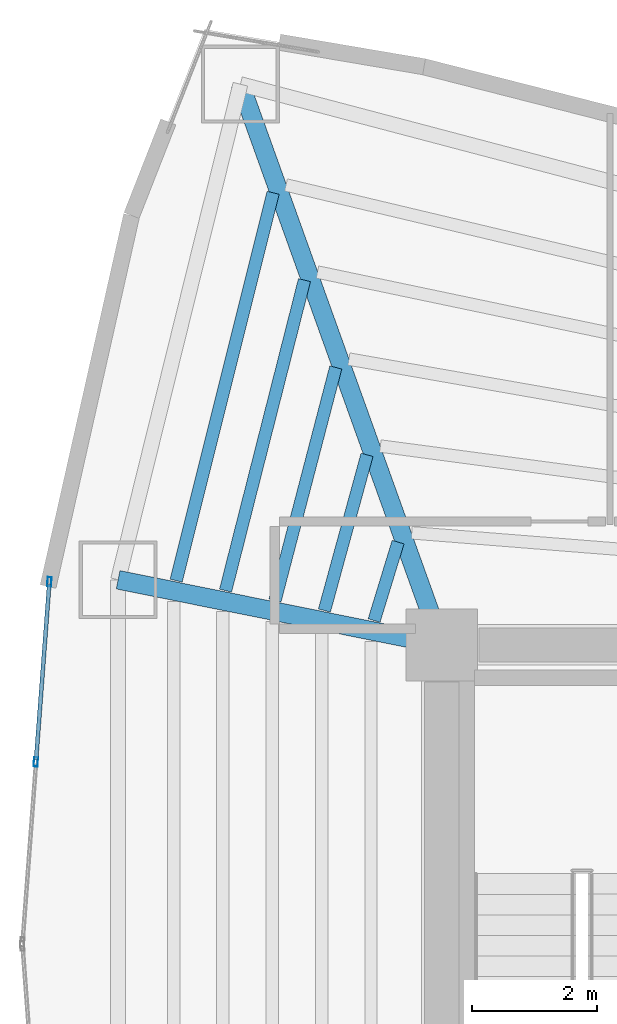
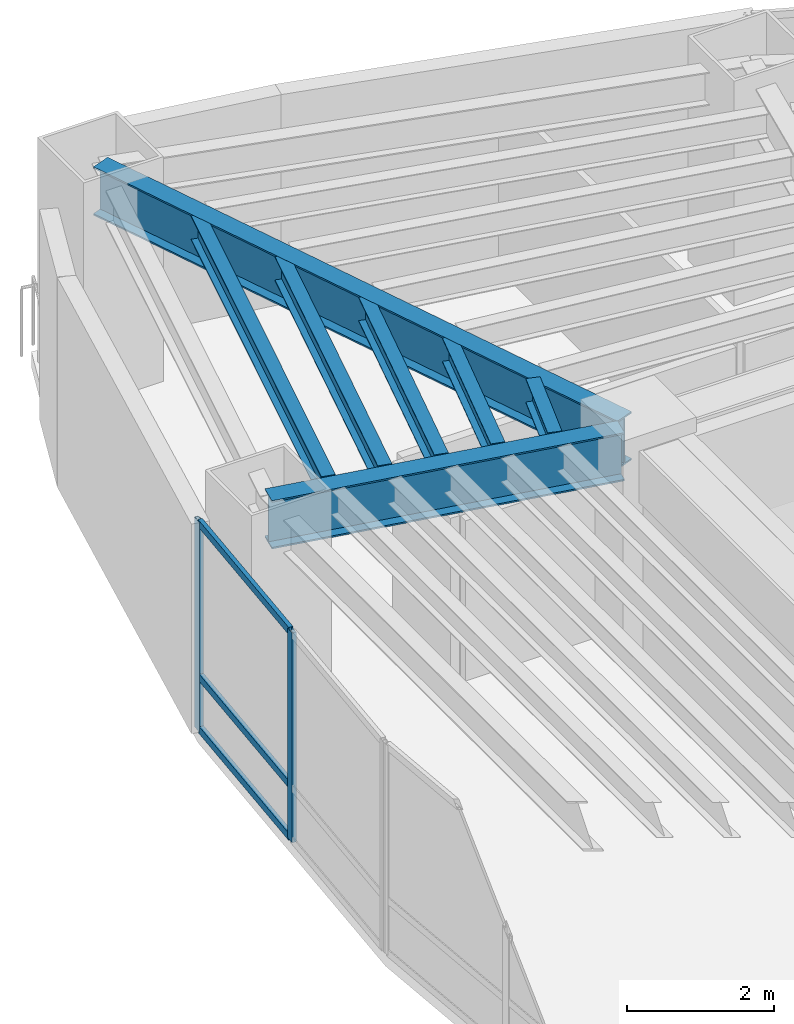
# One storey, part 7 of 18: 7 beams, 5 members, 1 element without a shape of its own.
"""IFC4 building model written with IfcOpenShell, lengths in metres."""

from ifc_helpers import new_model, si_unit, direction, frame, origin, origin_2d, place, context, subcontext, project, spatial, hollow_rectangle, i_section, extrude, material, layer, layer_set, material_profile, profile_set, type_object, element, aggregate, save


model = new_model("IFC4")

# Units and contexts
model_context = context("Model", 3, precision=1e-05, world=origin(), true_north=direction((0.0, 1.0)))
body_context = subcontext(model_context, "Body", "Model", "MODEL_VIEW")
ifc_project = project(units=[si_unit("LENGTHUNIT", "METRE"), si_unit("AREAUNIT", "SQUARE_METRE"), si_unit("VOLUMEUNIT", "CUBIC_METRE"), si_unit("PLANEANGLEUNIT", "RADIAN"), si_unit("MASSUNIT", "GRAM", prefix="KILO")], contexts=[model_context])

# Site, building, storey
site_placement = place(None, origin())
site = spatial("IfcSite", under=ifc_project, at=site_placement, CompositionType="ELEMENT")
building_placement = place(site_placement, origin())
building = spatial("IfcBuilding", under=site, at=building_placement, Name="Menara Vayukalpa", CompositionType="ELEMENT")
storey_placement = place(building_placement, frame((0.0, 0.0, 126.300048828125)))
storey = spatial("IfcBuildingStorey", under=building, at=storey_placement, Name="L31", CompositionType="ELEMENT", Elevation=126.300048828125)

# Beams
ifc_material_1 = material(Name="Steel S355", Category="steel")
ifc_material_profile_1 = material_profile(ifc_material_1, i_section(OverallWidth=0.300048828125, OverallDepth=0.800048828125, WebThickness=0.013916015625, FlangeThickness=0.02587890625, at=origin_2d()), Name="WF 800x300x14x26")
ifc_profile_set_1 = profile_set([ifc_material_profile_1], Name="Steel S355")
beam_type_1 = type_object("IfcBeamType", Name="BM-PG3", PredefinedType="BEAM", material=ifc_profile_set_1)
beam_1_placement = place(storey_placement, frame((17.715576171875, 27.035400390625, 3.070068359375), z_axis=(-0.337975542909, 0.941154892882, 0.0), x_axis=(-0.941154892882, -0.337975542909, 0.0)))
element("IfcBeam", 1, at=beam_1_placement, inside=storey, type_object=beam_type_1, Name="L31 Primary Radial Girder RG04", PredefinedType="BEAM", context=body_context, shape_type="SweptSolid", body=[
    extrude(i_section(OverallWidth=0.300048828125, OverallDepth=0.800048828125, WebThickness=0.013916015625, FlangeThickness=0.02587890625, at=origin_2d()), origin(), (0.0, 0.0, 1.0), 9.309814453125),
])
beam_2_placement = place(storey_placement, frame((17.554931640625, 26.849365234375, 3.070068359375), z_axis=(-0.980324984906, 0.197390283373, 0.0), x_axis=(-0.197390283373, -0.980324984906, 0.0)))
element("IfcBeam", 2, at=beam_2_placement, inside=storey, type_object=beam_type_1, Name="L31 Primary Radial Girder RG05", PredefinedType="BEAM", context=body_context, shape_type="SweptSolid", body=[
    extrude(i_section(OverallWidth=0.300048828125, OverallDepth=0.800048828125, WebThickness=0.013916015625, FlangeThickness=0.02587890625, at=origin_2d()), origin(), (0.0, 0.0, 1.0), 5.047607421875),
])
ifc_material_2 = material(Name="Steel S355", Category="steel")
ifc_material_profile_2 = material_profile(ifc_material_2, i_section(OverallWidth=0.199951171875, OverallDepth=0.39990234375, WebThickness=0.008056640625, FlangeThickness=0.012939453125, at=origin_2d()), Name="WF 400x200x8x13")
ifc_profile_set_2 = profile_set([ifc_material_profile_2], Name="Steel S355")
beam_type_2 = type_object("IfcBeamType", Name="BM-SJ2", PredefinedType="JOIST", material=ifc_profile_set_2)
beam_3_placement = place(storey_placement, frame((17.099365234375, 28.449951171875, 3.27001953125), z_axis=(-0.292651981473, -0.956219021846, 0.0), x_axis=(0.956219021846, -0.292651981473, 0.0)))
element("IfcBeam", 3, at=beam_3_placement, inside=storey, type_object=beam_type_2, Name="L31 Secondary Floor Joist SJ04-1", PredefinedType="JOIST", context=body_context, shape_type="SweptSolid", body=[
    extrude(i_section(OverallWidth=0.199951171875, OverallDepth=0.39990234375, WebThickness=0.008056640625, FlangeThickness=0.012939453125, at=origin_2d()), origin(), (0.0, 0.0, 1.0), 1.31640625),
])
beam_4_placement = place(storey_placement, frame((16.600830078125, 29.850341796875, 3.27001953125), z_axis=(-0.263922858843, -0.964543790908, 0.0), x_axis=(0.964543790908, -0.263922858843, 0.0)))
element("IfcBeam", 4, at=beam_4_placement, inside=storey, type_object=beam_type_2, Name="L31 Secondary Floor Joist SJ04-2", PredefinedType="JOIST", context=body_context, shape_type="SweptSolid", body=[
    extrude(i_section(OverallWidth=0.199951171875, OverallDepth=0.39990234375, WebThickness=0.008056640625, FlangeThickness=0.012939453125, at=origin_2d()), origin(), (0.0, 0.0, 1.0), 2.590087890625),
])
beam_5_placement = place(storey_placement, frame((16.099365234375, 31.251953125, 3.27001953125), z_axis=(-0.252406469257, -0.967621296933, 0.0), x_axis=(0.967621296933, -0.252406469257, 0.0)))
element("IfcBeam", 5, at=beam_5_placement, inside=storey, type_object=beam_type_2, Name="L31 Secondary Floor Joist SJ04-3", PredefinedType="JOIST", context=body_context, shape_type="SweptSolid", body=[
    extrude(i_section(OverallWidth=0.199951171875, OverallDepth=0.39990234375, WebThickness=0.008056640625, FlangeThickness=0.012939453125, at=origin_2d()), origin(), (0.0, 0.0, 1.0), 3.865234375),
])
beam_6_placement = place(storey_placement, frame((15.596923828125, 32.653564453125, 3.27001953125), z_axis=(-0.246311066692, -0.969190826631, 0.0), x_axis=(0.969190826631, -0.246311066692, 0.0)))
element("IfcBeam", 6, at=beam_6_placement, inside=storey, type_object=beam_type_2, Name="L31 Secondary Floor Joist SJ04-4", PredefinedType="JOIST", context=body_context, shape_type="SweptSolid", body=[
    extrude(i_section(OverallWidth=0.199951171875, OverallDepth=0.39990234375, WebThickness=0.008056640625, FlangeThickness=0.012939453125, at=origin_2d()), origin(), (0.0, 0.0, 1.0), 5.140380859375),
])
beam_7_placement = place(storey_placement, frame((15.09423828125, 34.055419921875, 3.27001953125), z_axis=(-0.242481900969, -0.970155929582, 0.0), x_axis=(0.970155929582, -0.242481900969, 0.0)))
element("IfcBeam", 7, at=beam_7_placement, inside=storey, type_object=beam_type_2, Name="L31 Secondary Floor Joist SJ04-5", PredefinedType="JOIST", context=body_context, shape_type="SweptSolid", body=[
    extrude(i_section(OverallWidth=0.199951171875, OverallDepth=0.39990234375, WebThickness=0.008056640625, FlangeThickness=0.012939453125, at=origin_2d()), origin(), (0.0, 0.0, 1.0), 6.41552734375),
])

# Curtain wall, members
ifc_material_3 = material(Name="Anodised Terracotta Aluminium Alloy 6063-T6", Category="masonry")
ifc_layer = layer(ifc_material_3, 0.14990234375)
ifc_layer_set = layer_set([ifc_layer], Name="Anodised Terracotta Aluminium Alloy 6063-T6")
curtain_wall_type = type_object("IfcCurtainWallType", Name="CW-CW3", PredefinedType="USERDEFINED", material=ifc_layer_set)
curtain_wall_placement = place(storey_placement, origin())
curtain_wall = element("IfcCurtainWall", 8, at=curtain_wall_placement, inside=storey, type_object=curtain_wall_type, Name="L31 Mid Rise Terracotta Ribbon Curtain Wall CW3 10", ObjectType="UNITISED", PredefinedType="USERDEFINED")
ifc_material_4 = material(Name="Anodised Terracotta Aluminium Alloy 6063-T6", Category="masonry")
ifc_material_profile_3 = material_profile(ifc_material_4, hollow_rectangle(XDim=0.06494140625, YDim=0.14990234375, WallThickness=0.00341796875, at=origin_2d()), Name="ALU 65x150x3.5")
ifc_profile_set_3 = profile_set([ifc_material_profile_3], Name="Anodised Terracotta Aluminium Alloy 6063-T6")
member_type_1 = type_object("IfcMemberType", Name="CWM-CW3", PredefinedType="MULLION", material=ifc_profile_set_3)
member_1_placement = place(storey_placement, frame((11.504150390625, 27.813232421875, 0.0), z_axis=(0.0, 0.0, 1.0), x_axis=(0.997199659745, -0.07478528334, 0.0)))
member_1 = element("IfcMember", 9, at=member_1_placement, type_object=member_type_1, Name="CW3 mullion 1", PredefinedType="MULLION", context=body_context, shape_type="SweptSolid", body=[
    extrude(hollow_rectangle(XDim=0.06494140625, YDim=0.14990234375, WallThickness=0.00341796875, at=origin_2d()), origin(), (0.0, 0.0, 1.0), 3.469970703125),
])
member_2_placement = place(storey_placement, frame((11.287353515625, 24.9228515625, 0.0), z_axis=(0.0, 0.0, 1.0), x_axis=(0.997199659745, -0.07478528334, 0.0)))
member_2 = element("IfcMember", 10, at=member_2_placement, type_object=member_type_1, Name="CW3 mullion 2", PredefinedType="MULLION", context=body_context, shape_type="SweptSolid", body=[
    extrude(hollow_rectangle(XDim=0.06494140625, YDim=0.14990234375, WallThickness=0.00341796875, at=origin_2d()), origin(), (0.0, 0.0, 1.0), 3.469970703125),
])
ifc_material_5 = material(Name="Anodised Terracotta Aluminium Alloy 6063-T6", Category="masonry")
ifc_material_profile_4 = material_profile(ifc_material_5, hollow_rectangle(XDim=0.06494140625, YDim=0.1201171875, WallThickness=0.00341796875, at=origin_2d()), Name="ALU 65x120x3.5")
ifc_profile_set_4 = profile_set([ifc_material_profile_4], Name="Anodised Terracotta Aluminium Alloy 6063-T6")
member_type_2 = type_object("IfcMemberType", Name="CWT-CW3", PredefinedType="USERDEFINED", material=ifc_profile_set_4)
member_3_placement = place(storey_placement, frame((11.501708984375, 27.78076171875, 0.032470703125), z_axis=(-0.074792090342, -0.997199149229, 0.0), x_axis=(0.997199149229, -0.074792090342, 0.0)))
member_3 = element("IfcMember", 11, at=member_3_placement, type_object=member_type_2, Name="CW3 transom 1.1", ObjectType="TRANSOM", PredefinedType="USERDEFINED", context=body_context, shape_type="SweptSolid", body=[
    extrude(hollow_rectangle(XDim=0.06494140625, YDim=0.1201171875, WallThickness=0.00341796875, at=origin_2d()), origin(), (0.0, 0.0, 1.0), 2.83349609375),
])
member_4_placement = place(storey_placement, frame((11.501708984375, 27.78076171875, 0.89990234375), z_axis=(-0.074792090342, -0.997199149229, 0.0), x_axis=(0.997199149229, -0.074792090342, 0.0)))
member_4 = element("IfcMember", 12, at=member_4_placement, type_object=member_type_2, Name="CW3 transom 1.2", ObjectType="TRANSOM", PredefinedType="USERDEFINED", context=body_context, shape_type="SweptSolid", body=[
    extrude(hollow_rectangle(XDim=0.06494140625, YDim=0.1201171875, WallThickness=0.00341796875, at=origin_2d()), origin(), (0.0, 0.0, 1.0), 2.83349609375),
])
member_5_placement = place(storey_placement, frame((11.501708984375, 27.78076171875, 3.4375), z_axis=(-0.074792090342, -0.997199149229, 0.0), x_axis=(0.997199149229, -0.074792090342, 0.0)))
member_5 = element("IfcMember", 13, at=member_5_placement, type_object=member_type_2, Name="CW3 transom 1.3", ObjectType="TRANSOM", PredefinedType="USERDEFINED", context=body_context, shape_type="SweptSolid", body=[
    extrude(hollow_rectangle(XDim=0.06494140625, YDim=0.1201171875, WallThickness=0.00341796875, at=origin_2d()), origin(), (0.0, 0.0, 1.0), 2.83349609375),
])
aggregate(curtain_wall, [member_1, member_2, member_3, member_4, member_5])

save(model, "model.ifc")
